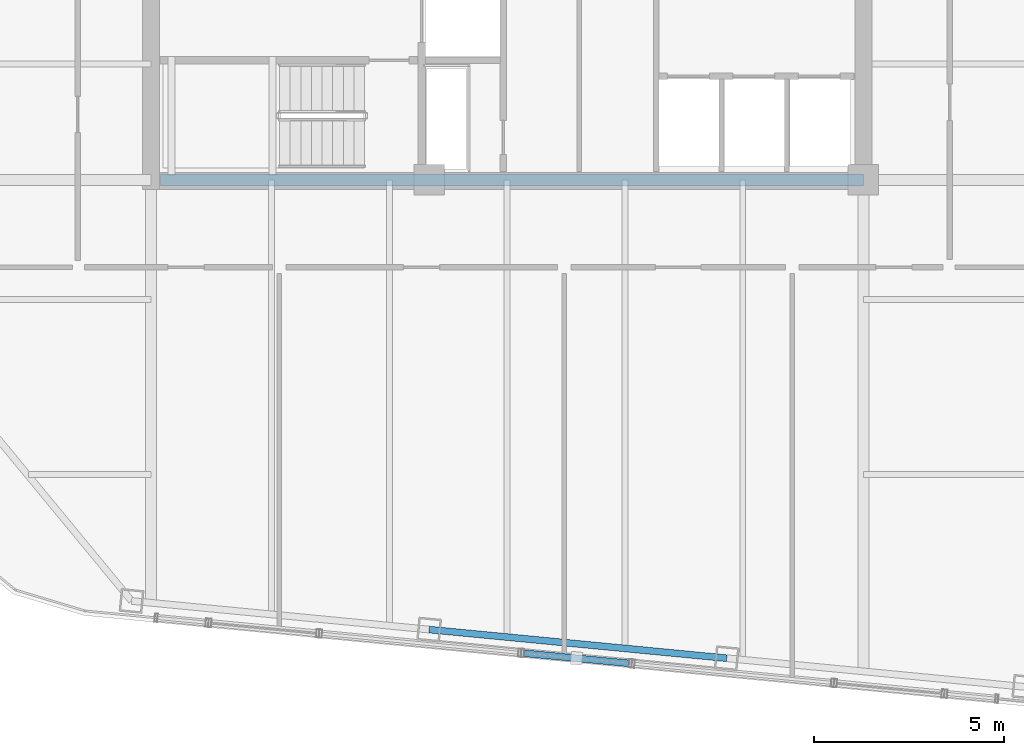
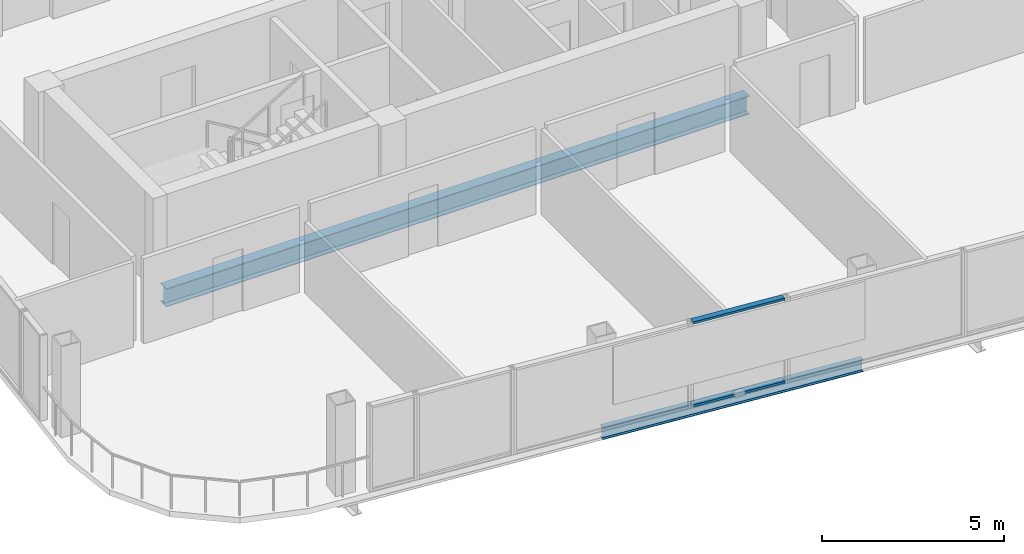
# One storey, part 4 of 23: 2 beams, 2 members, 1 element without a shape of its own.
"""IFC4 building model written with IfcOpenShell, lengths in metres."""

from ifc_helpers import new_model, si_unit, direction, frame, origin, origin_2d, place, context, subcontext, project, spatial, hollow_rectangle, i_section, extrude, material, layer, layer_set, material_profile, profile_set, type_object, element, aggregate, save


model = new_model("IFC4")

# Units and contexts
model_context = context("Model", 3, precision=1e-05, world=origin(), true_north=direction((0.0, 1.0)))
body_context = subcontext(model_context, "Body", "Model", "MODEL_VIEW")
ifc_project = project(units=[si_unit("LENGTHUNIT", "METRE"), si_unit("AREAUNIT", "SQUARE_METRE"), si_unit("VOLUMEUNIT", "CUBIC_METRE"), si_unit("PLANEANGLEUNIT", "RADIAN"), si_unit("MASSUNIT", "GRAM", prefix="KILO")], contexts=[model_context])

# Site, building, storey
site_placement = place(None, origin())
site = spatial("IfcSite", under=ifc_project, at=site_placement, CompositionType="ELEMENT")
building_placement = place(site_placement, origin())
building = spatial("IfcBuilding", under=site, at=building_placement, Name="Qhalaya Broadcast Tower", CompositionType="ELEMENT")
storey_placement = place(building_placement, frame((0.0, 0.0, 261.14990234375)))
storey = spatial("IfcBuildingStorey", under=building, at=storey_placement, Name="L77", CompositionType="ELEMENT", Elevation=261.14990234375)

# Beam
ifc_material_1 = material(Name="Structural Steel ASTM A992 Grade 50", Category="steel")
ifc_material_profile_1 = material_profile(ifc_material_1, i_section(OverallWidth=0.323974609375, OverallDepth=0.612060546875, WebThickness=0.0126953125, FlangeThickness=0.01904296875, at=origin_2d()), Name="W24X104")
ifc_profile_set_1 = profile_set([ifc_material_profile_1], Name="Structural Steel ASTM A992 Grade 50")
beam_type_1 = type_object("IfcBeamType", Name="Core Frame Tie Beam B04", PredefinedType="BEAM", material=ifc_profile_set_1)
beam_1_placement = place(storey_placement, frame((-9.1201171875, -8.75, -0.495849609375), z_axis=(1.0, 0.0, 0.0), x_axis=(0.0, 1.0, 0.0)))
element("IfcBeam", 1, at=beam_1_placement, inside=storey, type_object=beam_type_1, Name="L77 B04 L77-CCS3", PredefinedType="BEAM", context=body_context, shape_type="SweptSolid", body=[
    extrude(i_section(OverallWidth=0.323974609375, OverallDepth=0.612060546875, WebThickness=0.0126953125, FlangeThickness=0.01904296875, at=origin_2d()), origin(), (0.0, 0.0, 1.0), 18.4951171875),
])

# Curtain wall, members
ifc_material_2 = material(Name="Solar-Control Low-E Triple Glazing", Category="glass")
ifc_layer = layer(ifc_material_2, 0.219970703125, Name="Solar-Control Low-E Triple Glazing")
ifc_layer_set = layer_set([ifc_layer], Name="Solar-Control Low-E Triple Glazing")
curtain_wall_type = type_object("IfcCurtainWallType", Name="High-Altitude Upper-Shaft Triple Low-E Curtain Wall CW-04", PredefinedType="NOTDEFINED", material=ifc_layer_set)
curtain_wall_placement = place(storey_placement, origin())
curtain_wall = element("IfcCurtainWall", 2, at=curtain_wall_placement, inside=storey, type_object=curtain_wall_type, Name="L77 Unitised Curtain Wall L77-CW-S4", PredefinedType="NOTDEFINED")
ifc_material_3 = material(Name="Anodised Aluminium 6063-T6", Category="aluminium")
ifc_material_profile_2 = material_profile(ifc_material_3, hollow_rectangle(XDim=0.074951171875, YDim=0.179931640625, WallThickness=0.00390625, at=origin_2d()), Name="ALU-TRN 75x180x4")
ifc_profile_set_2 = profile_set([ifc_material_profile_2], Name="Anodised Aluminium 6063-T6")
member_type = type_object("IfcMemberType", Name="Unitised Curtain-Wall Transom T01", PredefinedType="USERDEFINED", material=ifc_profile_set_2)
member_1_placement = place(storey_placement, frame((0.445556640625, -21.204833984375, 0.03759765625), z_axis=(0.995396442999, -0.095843211886, 0.0), x_axis=(0.0, 0.0, 1.0)))
member_1 = element("IfcMember", 3, at=member_1_placement, type_object=member_type, Name="CW-04 transom 1.1", ObjectType="TRANSOM", PredefinedType="USERDEFINED", context=body_context, shape_type="SweptSolid", body=[
    extrude(hollow_rectangle(XDim=0.074951171875, YDim=0.179931640625, WallThickness=0.00390625, at=origin_2d()), origin(), (0.0, 0.0, 1.0), 2.77392578125),
])
member_2_placement = place(storey_placement, frame((0.445556640625, -21.204833984375, 2.822509765625), z_axis=(0.995396442999, -0.095843211886, 0.0), x_axis=(0.0, 0.0, 1.0)))
member_2 = element("IfcMember", 4, at=member_2_placement, type_object=member_type, Name="CW-04 transom 1.2", ObjectType="TRANSOM", PredefinedType="USERDEFINED", context=body_context, shape_type="SweptSolid", body=[
    extrude(hollow_rectangle(XDim=0.074951171875, YDim=0.179931640625, WallThickness=0.00390625, at=origin_2d()), origin(), (0.0, 0.0, 1.0), 2.77392578125),
])
aggregate(curtain_wall, [member_1, member_2])

# Beam
ifc_material_profile_3 = material_profile(ifc_material_1, i_section(OverallWidth=0.177978515625, OverallDepth=0.406005859375, WebThickness=0.0078125, FlangeThickness=0.0126953125, at=origin_2d()), Name="W16X40")
ifc_profile_set_3 = profile_set([ifc_material_profile_3], Name="Structural Steel ASTM A992 Grade 50")
beam_type_2 = type_object("IfcBeamType", Name="Upper Perimeter Spandrel Beam SP2", PredefinedType="SPANDREL", material=ifc_profile_set_3)
beam_2_placement = place(storey_placement, frame((-2.052490234375, -20.58251953125, -0.392822265625), z_axis=(0.995397023367, -0.095837184179, 0.0), x_axis=(0.095837184179, 0.995397023367, 0.0)))
element("IfcBeam", 5, at=beam_2_placement, inside=storey, type_object=beam_type_2, Name="L77 SP2 L77-SPR-02", PredefinedType="SPANDREL", context=body_context, shape_type="SweptSolid", body=[
    extrude(i_section(OverallWidth=0.177978515625, OverallDepth=0.406005859375, WebThickness=0.0078125, FlangeThickness=0.0126953125, at=origin_2d()), origin(), (0.0, 0.0, 1.0), 7.866455078125),
])

save(model, "model.ifc")
